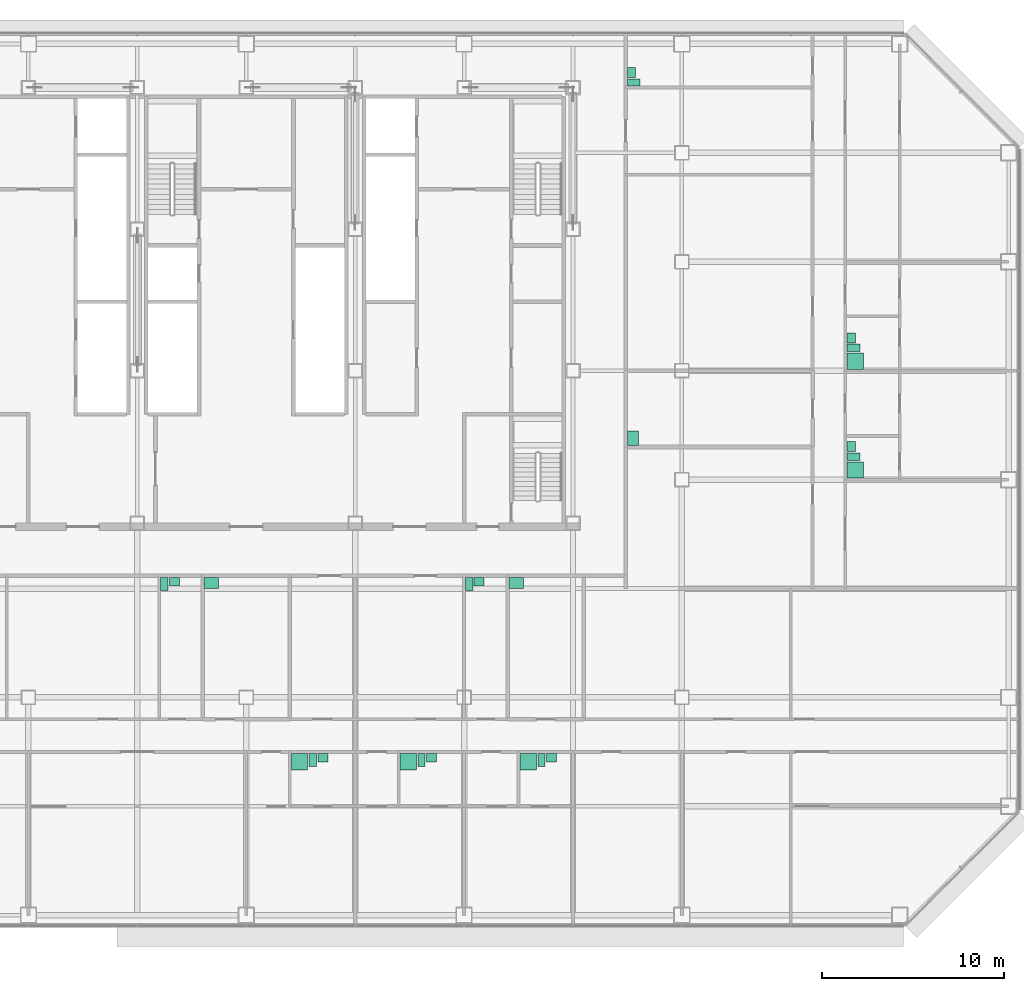
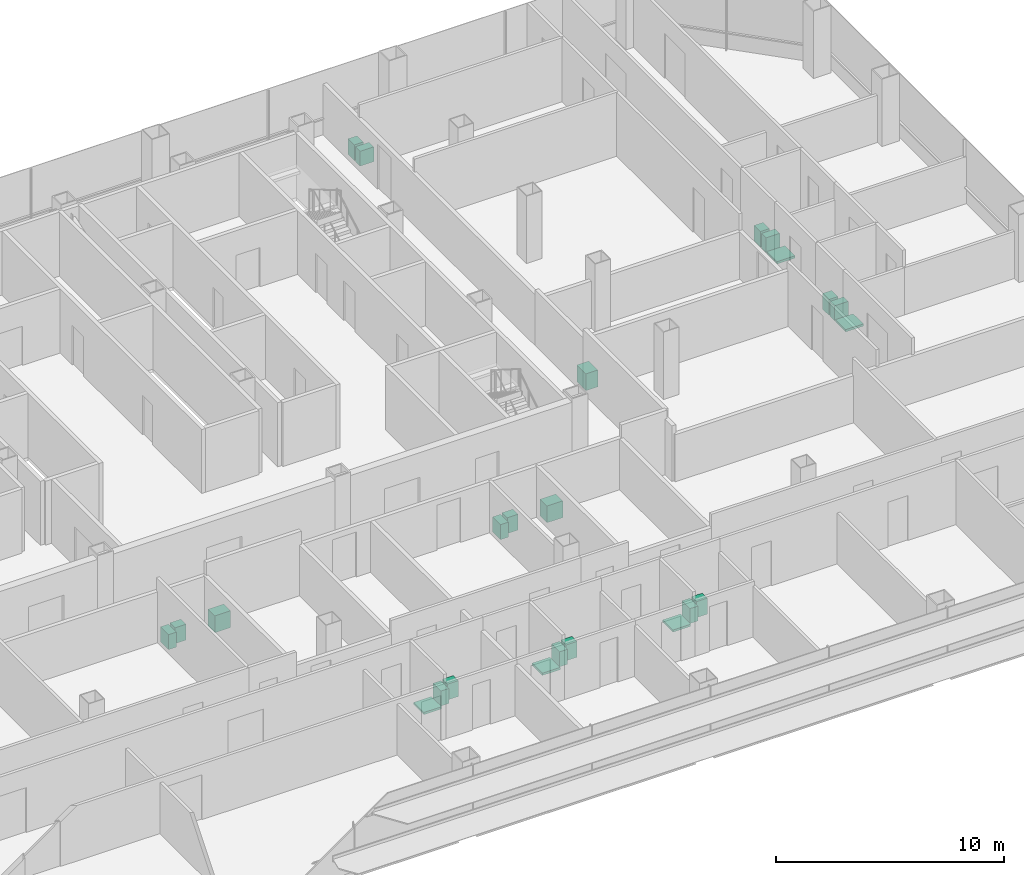
# One storey, part 26 of 26: 24 sanitary terminals.
"""IFC4 building model written with IfcOpenShell, lengths in metres."""

from ifc_helpers import new_model, si_unit, direction, frame, origin, origin_2d, place, context, subcontext, project, spatial, rectangle, extrude, element, save


model = new_model("IFC4")

# Units and contexts
model_context = context("Model", 3, precision=1e-05, world=origin(), true_north=direction((0.0, 1.0)))
body_context = subcontext(model_context, "Body", "Model", "MODEL_VIEW")
ifc_project = project(units=[si_unit("LENGTHUNIT", "METRE"), si_unit("AREAUNIT", "SQUARE_METRE"), si_unit("VOLUMEUNIT", "CUBIC_METRE"), si_unit("PLANEANGLEUNIT", "RADIAN"), si_unit("MASSUNIT", "GRAM", prefix="KILO")], contexts=[model_context])

# Site, building, storey
site_placement = place(None, origin())
site = spatial("IfcSite", under=ifc_project, at=site_placement, CompositionType="ELEMENT")
building_placement = place(site_placement, origin())
building = spatial("IfcBuilding", under=site, at=building_placement, Name="Sorahane Residences", CompositionType="ELEMENT")
storey_placement = place(building_placement, frame((0.0, 0.0, 64.199951171875)))
storey = spatial("IfcBuildingStorey", under=building, at=storey_placement, Name="L12", CompositionType="ELEMENT", Elevation=64.199951171875)

# Sanitary terminals
sanitary_terminal_1_placement = place(storey_placement, frame((26.929931640625, 8.449951171875, 0.0), z_axis=(0.0, 0.0, 1.0), x_axis=(1.0, 0.0, 0.0)))
element("IfcSanitaryTerminal", 1, at=sanitary_terminal_1_placement, inside=storey, Name="Shower tray En-suite bathroom 12A", PredefinedType="SHOWER", context=body_context, shape_type="SweptSolid", body=[
    extrude(rectangle(XDim=0.89990234375, YDim=0.89990234375, at=origin_2d()), origin(), (0.0, 0.0, 1.0), 0.1201171875),
])
sanitary_terminal_2_placement = place(storey_placement, frame((27.659912109375, 8.550048828125, 0.0), z_axis=(0.0, 0.0, 1.0), x_axis=(1.0, 0.0, 0.0)))
element("IfcSanitaryTerminal", 2, at=sanitary_terminal_2_placement, inside=storey, Name="WC pan En-suite bathroom 12A", PredefinedType="TOILETPAN", context=body_context, shape_type="SweptSolid", body=[
    extrude(rectangle(XDim=0.39990234375, YDim=0.699951171875, at=origin_2d()), origin(), (0.0, 0.0, 1.0), 0.800048828125),
])
sanitary_terminal_3_placement = place(storey_placement, frame((28.215087890625, 8.675048828125, 0.0), z_axis=(0.0, 0.0, 1.0), x_axis=(1.0, 0.0, 0.0)))
element("IfcSanitaryTerminal", 3, at=sanitary_terminal_3_placement, inside=storey, Name="Wash basin En-suite bathroom 12A", PredefinedType="WASHHANDBASIN", context=body_context, shape_type="SweptSolid", body=[
    extrude(rectangle(XDim=0.550048828125, YDim=0.449951171875, at=origin_2d()), origin(), (0.0, 0.0, 1.0), 0.85009765625),
])
sanitary_terminal_4_placement = place(storey_placement, frame((19.47998046875, 18.25, 0.0), z_axis=(0.0, 0.0, 1.0), x_axis=(1.0, 0.0, 0.0)))
element("IfcSanitaryTerminal", 4, at=sanitary_terminal_4_placement, inside=storey, Name="WC pan Guest WC 12A", PredefinedType="TOILETPAN", context=body_context, shape_type="SweptSolid", body=[
    extrude(rectangle(XDim=0.39990234375, YDim=0.699951171875, at=origin_2d()), origin(), (0.0, 0.0, 1.0), 0.800048828125),
])
sanitary_terminal_5_placement = place(storey_placement, frame((20.034912109375, 18.375, 0.0), z_axis=(0.0, 0.0, 1.0), x_axis=(1.0, 0.0, 0.0)))
element("IfcSanitaryTerminal", 5, at=sanitary_terminal_5_placement, inside=storey, Name="Wash basin Guest WC 12A", PredefinedType="WASHHANDBASIN", context=body_context, shape_type="SweptSolid", body=[
    extrude(rectangle(XDim=0.550048828125, YDim=0.449951171875, at=origin_2d()), origin(), (0.0, 0.0, 1.0), 0.85009765625),
])
sanitary_terminal_6_placement = place(storey_placement, frame((22.080078125, 18.300048828125, 0.0), z_axis=(0.0, 0.0, 1.0), x_axis=(1.0, 0.0, 0.0)))
element("IfcSanitaryTerminal", 6, at=sanitary_terminal_6_placement, inside=storey, Name="Kitchen sink Kitchen 12A", PredefinedType="SINK", context=body_context, shape_type="SweptSolid", body=[
    extrude(rectangle(XDim=0.800048828125, YDim=0.60009765625, at=origin_2d()), origin(), (0.0, 0.0, 1.0), 0.89990234375),
])
sanitary_terminal_7_placement = place(storey_placement, frame((32.929931640625, 8.449951171875, 0.0), z_axis=(0.0, 0.0, 1.0), x_axis=(1.0, 0.0, 0.0)))
element("IfcSanitaryTerminal", 7, at=sanitary_terminal_7_placement, inside=storey, Name="Shower tray En-suite bathroom 12B", PredefinedType="SHOWER", context=body_context, shape_type="SweptSolid", body=[
    extrude(rectangle(XDim=0.89990234375, YDim=0.89990234375, at=origin_2d()), origin(), (0.0, 0.0, 1.0), 0.1201171875),
])
sanitary_terminal_8_placement = place(storey_placement, frame((33.659912109375, 8.550048828125, 0.0), z_axis=(0.0, 0.0, 1.0), x_axis=(1.0, 0.0, 0.0)))
element("IfcSanitaryTerminal", 8, at=sanitary_terminal_8_placement, inside=storey, Name="WC pan En-suite bathroom 12B", PredefinedType="TOILETPAN", context=body_context, shape_type="SweptSolid", body=[
    extrude(rectangle(XDim=0.39990234375, YDim=0.699951171875, at=origin_2d()), origin(), (0.0, 0.0, 1.0), 0.800048828125),
])
sanitary_terminal_9_placement = place(storey_placement, frame((34.215087890625, 8.675048828125, 0.0), z_axis=(0.0, 0.0, 1.0), x_axis=(1.0, 0.0, 0.0)))
element("IfcSanitaryTerminal", 9, at=sanitary_terminal_9_placement, inside=storey, Name="Wash basin En-suite bathroom 12B", PredefinedType="WASHHANDBASIN", context=body_context, shape_type="SweptSolid", body=[
    extrude(rectangle(XDim=0.550048828125, YDim=0.449951171875, at=origin_2d()), origin(), (0.0, 0.0, 1.0), 0.85009765625),
])
sanitary_terminal_10_placement = place(storey_placement, frame((39.530029296875, 8.449951171875, 0.0), z_axis=(0.0, 0.0, 1.0), x_axis=(1.0, 0.0, 0.0)))
element("IfcSanitaryTerminal", 10, at=sanitary_terminal_10_placement, inside=storey, Name="Shower tray En-suite bathroom 12B-2", PredefinedType="SHOWER", context=body_context, shape_type="SweptSolid", body=[
    extrude(rectangle(XDim=0.89990234375, YDim=0.89990234375, at=origin_2d()), origin(), (0.0, 0.0, 1.0), 0.1201171875),
])
sanitary_terminal_11_placement = place(storey_placement, frame((40.260009765625, 8.550048828125, 0.0), z_axis=(0.0, 0.0, 1.0), x_axis=(1.0, 0.0, 0.0)))
element("IfcSanitaryTerminal", 11, at=sanitary_terminal_11_placement, inside=storey, Name="WC pan En-suite bathroom 12B-2", PredefinedType="TOILETPAN", context=body_context, shape_type="SweptSolid", body=[
    extrude(rectangle(XDim=0.39990234375, YDim=0.699951171875, at=origin_2d()), origin(), (0.0, 0.0, 1.0), 0.800048828125),
])
sanitary_terminal_12_placement = place(storey_placement, frame((40.81494140625, 8.675048828125, 0.0), z_axis=(0.0, 0.0, 1.0), x_axis=(1.0, 0.0, 0.0)))
element("IfcSanitaryTerminal", 12, at=sanitary_terminal_12_placement, inside=storey, Name="Wash basin En-suite bathroom 12B-2", PredefinedType="WASHHANDBASIN", context=body_context, shape_type="SweptSolid", body=[
    extrude(rectangle(XDim=0.550048828125, YDim=0.449951171875, at=origin_2d()), origin(), (0.0, 0.0, 1.0), 0.85009765625),
])
sanitary_terminal_13_placement = place(storey_placement, frame((36.280029296875, 18.25, 0.0), z_axis=(0.0, 0.0, 1.0), x_axis=(1.0, 0.0, 0.0)))
element("IfcSanitaryTerminal", 13, at=sanitary_terminal_13_placement, inside=storey, Name="WC pan Guest WC 12B", PredefinedType="TOILETPAN", context=body_context, shape_type="SweptSolid", body=[
    extrude(rectangle(XDim=0.39990234375, YDim=0.699951171875, at=origin_2d()), origin(), (0.0, 0.0, 1.0), 0.800048828125),
])
sanitary_terminal_14_placement = place(storey_placement, frame((36.8349609375, 18.375, 0.0), z_axis=(0.0, 0.0, 1.0), x_axis=(1.0, 0.0, 0.0)))
element("IfcSanitaryTerminal", 14, at=sanitary_terminal_14_placement, inside=storey, Name="Wash basin Guest WC 12B", PredefinedType="WASHHANDBASIN", context=body_context, shape_type="SweptSolid", body=[
    extrude(rectangle(XDim=0.550048828125, YDim=0.449951171875, at=origin_2d()), origin(), (0.0, 0.0, 1.0), 0.85009765625),
])
sanitary_terminal_15_placement = place(storey_placement, frame((38.8798828125, 18.300048828125, 0.0), z_axis=(0.0, 0.0, 1.0), x_axis=(1.0, 0.0, 0.0)))
element("IfcSanitaryTerminal", 15, at=sanitary_terminal_15_placement, inside=storey, Name="Kitchen sink Kitchen 12B", PredefinedType="SINK", context=body_context, shape_type="SweptSolid", body=[
    extrude(rectangle(XDim=0.800048828125, YDim=0.60009765625, at=origin_2d()), origin(), (0.0, 0.0, 1.0), 0.89990234375),
])
sanitary_terminal_16_placement = place(storey_placement, frame((57.550048828125, 24.530029296875, 0.0), z_axis=(0.0, 0.0, 1.0), x_axis=(0.0, 1.0, 0.0)))
element("IfcSanitaryTerminal", 16, at=sanitary_terminal_16_placement, inside=storey, Name="Shower tray En-suite bathroom 12C", PredefinedType="SHOWER", context=body_context, shape_type="SweptSolid", body=[
    extrude(rectangle(XDim=0.89990234375, YDim=0.89990234375, at=origin_2d()), origin(), (0.0, 0.0, 1.0), 0.1201171875),
])
sanitary_terminal_17_placement = place(storey_placement, frame((57.449951171875, 25.260009765625, 0.0), z_axis=(0.0, 0.0, 1.0), x_axis=(0.0, 1.0, 0.0)))
element("IfcSanitaryTerminal", 17, at=sanitary_terminal_17_placement, inside=storey, Name="WC pan En-suite bathroom 12C", PredefinedType="TOILETPAN", context=body_context, shape_type="SweptSolid", body=[
    extrude(rectangle(XDim=0.39990234375, YDim=0.699951171875, at=origin_2d()), origin(), (0.0, 0.0, 1.0), 0.800048828125),
])
sanitary_terminal_18_placement = place(storey_placement, frame((57.324951171875, 25.81494140625, 0.0), z_axis=(0.0, 0.0, 1.0), x_axis=(0.0, 1.0, 0.0)))
element("IfcSanitaryTerminal", 18, at=sanitary_terminal_18_placement, inside=storey, Name="Wash basin En-suite bathroom 12C", PredefinedType="WASHHANDBASIN", context=body_context, shape_type="SweptSolid", body=[
    extrude(rectangle(XDim=0.550048828125, YDim=0.449951171875, at=origin_2d()), origin(), (0.0, 0.0, 1.0), 0.85009765625),
])
sanitary_terminal_19_placement = place(storey_placement, frame((57.550048828125, 30.530029296875, 0.0), z_axis=(0.0, 0.0, 1.0), x_axis=(0.0, 1.0, 0.0)))
element("IfcSanitaryTerminal", 19, at=sanitary_terminal_19_placement, inside=storey, Name="Shower tray En-suite bathroom 12C-2", PredefinedType="SHOWER", context=body_context, shape_type="SweptSolid", body=[
    extrude(rectangle(XDim=0.89990234375, YDim=0.89990234375, at=origin_2d()), origin(), (0.0, 0.0, 1.0), 0.1201171875),
])
sanitary_terminal_20_placement = place(storey_placement, frame((57.449951171875, 31.260009765625, 0.0), z_axis=(0.0, 0.0, 1.0), x_axis=(0.0, 1.0, 0.0)))
element("IfcSanitaryTerminal", 20, at=sanitary_terminal_20_placement, inside=storey, Name="WC pan En-suite bathroom 12C-2", PredefinedType="TOILETPAN", context=body_context, shape_type="SweptSolid", body=[
    extrude(rectangle(XDim=0.39990234375, YDim=0.699951171875, at=origin_2d()), origin(), (0.0, 0.0, 1.0), 0.800048828125),
])
sanitary_terminal_21_placement = place(storey_placement, frame((57.324951171875, 31.81494140625, 0.0), z_axis=(0.0, 0.0, 1.0), x_axis=(0.0, 1.0, 0.0)))
element("IfcSanitaryTerminal", 21, at=sanitary_terminal_21_placement, inside=storey, Name="Wash basin En-suite bathroom 12C-2", PredefinedType="WASHHANDBASIN", context=body_context, shape_type="SweptSolid", body=[
    extrude(rectangle(XDim=0.550048828125, YDim=0.449951171875, at=origin_2d()), origin(), (0.0, 0.0, 1.0), 0.85009765625),
])
sanitary_terminal_22_placement = place(storey_placement, frame((45.300048828125, 26.280029296875, 0.0), z_axis=(0.0, 0.0, 1.0), x_axis=(0.0, 1.0, 0.0)))
element("IfcSanitaryTerminal", 22, at=sanitary_terminal_22_placement, inside=storey, Name="Kitchen sink Kitchen 12C", PredefinedType="SINK", context=body_context, shape_type="SweptSolid", body=[
    extrude(rectangle(XDim=0.800048828125, YDim=0.60009765625, at=origin_2d()), origin(), (0.0, 0.0, 1.0), 0.89990234375),
])
sanitary_terminal_23_placement = place(storey_placement, frame((45.35009765625, 45.8798828125, 0.0), z_axis=(0.0, 0.0, 1.0), x_axis=(0.0, 1.0, 0.0)))
element("IfcSanitaryTerminal", 23, at=sanitary_terminal_23_placement, inside=storey, Name="WC pan Powder room 12C", PredefinedType="TOILETPAN", context=body_context, shape_type="SweptSolid", body=[
    extrude(rectangle(XDim=0.39990234375, YDim=0.699951171875, at=origin_2d()), origin(), (0.0, 0.0, 1.0), 0.800048828125),
])
sanitary_terminal_24_placement = place(storey_placement, frame((45.22509765625, 46.43505859375, 0.0), z_axis=(0.0, 0.0, 1.0), x_axis=(0.0, 1.0, 0.0)))
element("IfcSanitaryTerminal", 24, at=sanitary_terminal_24_placement, inside=storey, Name="Wash basin Powder room 12C", PredefinedType="WASHHANDBASIN", context=body_context, shape_type="SweptSolid", body=[
    extrude(rectangle(XDim=0.550048828125, YDim=0.449951171875, at=origin_2d()), origin(), (0.0, 0.0, 1.0), 0.85009765625),
])

save(model, "model.ifc")
